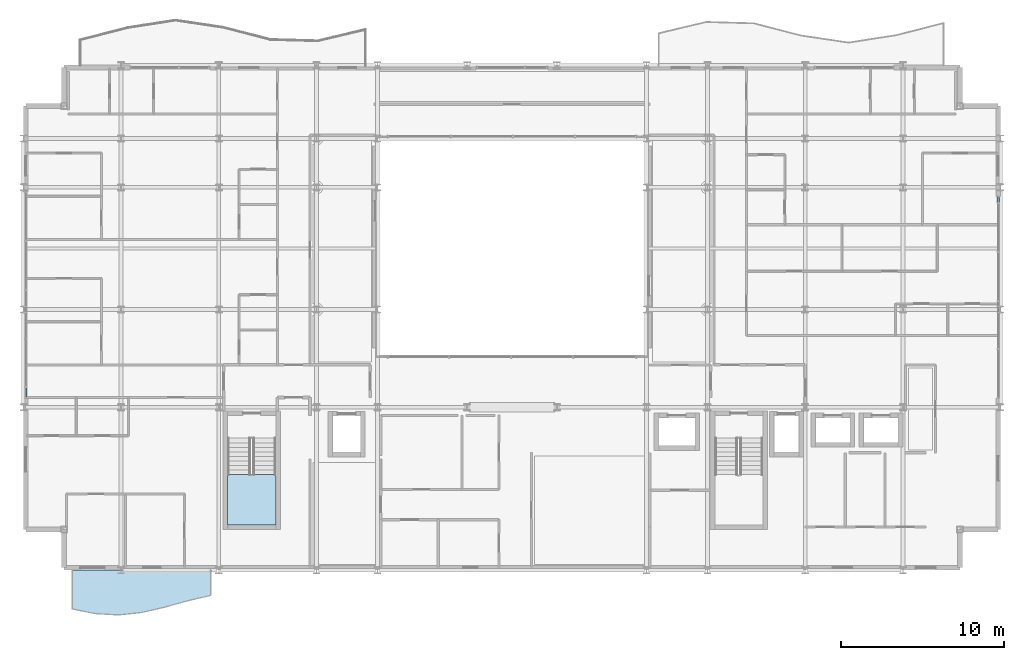
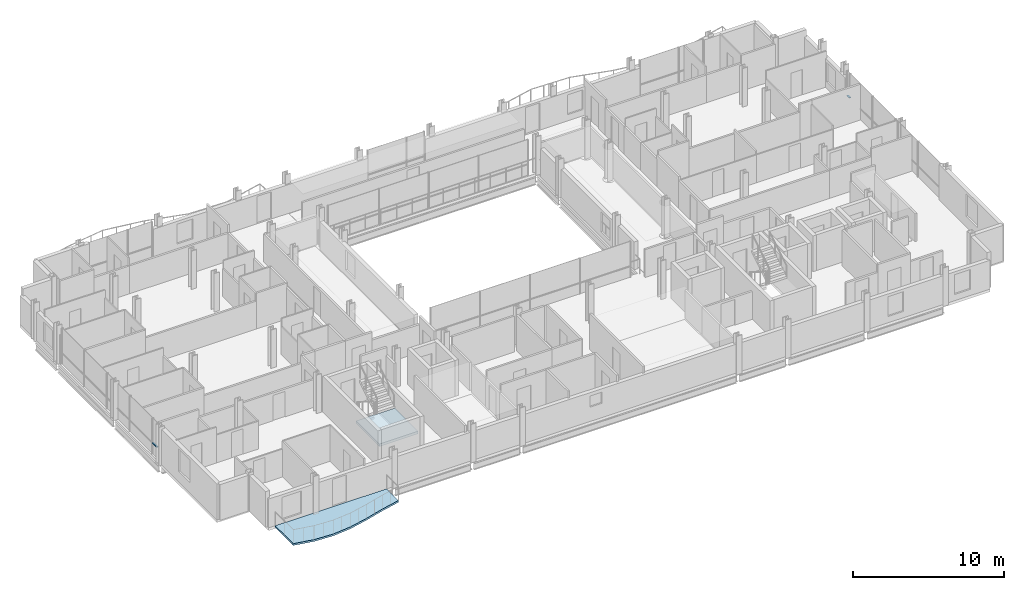
# One storey, part 27 of 41: 2 members, 2 slabs, 3 elements without a shape of their own.
"""IFC4 building model written with IfcOpenShell, lengths in metres."""

from ifc_helpers import new_model, si_unit, direction, frame, origin, origin_2d, place, context, subcontext, project, spatial, polyline, hollow_rectangle, outline, extrude, material, layer, layer_set, material_profile, profile_set, type_object, element, aggregate, save


model = new_model("IFC4")

# Units and contexts
model_context = context("Model", 3, precision=1e-05, world=origin(), true_north=direction((0.0, 1.0)))
body_context = subcontext(model_context, "Body", "Model", "MODEL_VIEW")
ifc_project = project(units=[si_unit("LENGTHUNIT", "METRE"), si_unit("AREAUNIT", "SQUARE_METRE"), si_unit("VOLUMEUNIT", "CUBIC_METRE"), si_unit("PLANEANGLEUNIT", "RADIAN"), si_unit("MASSUNIT", "GRAM", prefix="KILO")], contexts=[model_context])

# Site, building, storey
site_placement = place(None, origin())
site = spatial("IfcSite", under=ifc_project, at=site_placement, CompositionType="ELEMENT")
building_placement = place(site_placement, origin())
building = spatial("IfcBuilding", under=site, at=building_placement, Name="Brevholm Reach", CompositionType="ELEMENT")
storey_placement = place(building_placement, frame((0.0, 0.0, 144.89990234375)))
storey = spatial("IfcBuildingStorey", under=building, at=storey_placement, Name="L43", CompositionType="ELEMENT", Elevation=144.89990234375)

# Curtain wall, member
ifc_material_1 = material(Name="Dark Anodised Aluminium 6063-T6 and Solar-Control Glass", Category="aluminium")
ifc_layer_1 = layer(ifc_material_1, 0.14990234375)
ifc_layer_set_1 = layer_set([ifc_layer_1], Name="Dark Anodised Aluminium 6063-T6 and Solar-Control Glass")
curtain_wall_type = type_object("IfcCurtainWallType", Name="CW-01", PredefinedType="NOTDEFINED", material=ifc_layer_set_1)
curtain_wall_1_placement = place(storey_placement, origin())
curtain_wall_1 = element("IfcCurtainWall", 1, at=curtain_wall_1_placement, inside=storey, type_object=curtain_wall_type, Name="L43 Curtain Wall CW-01", PredefinedType="NOTDEFINED")
ifc_material_2 = material(Name="Dark Anodised Aluminium 6063-T6", Category="aluminium")
ifc_material_profile = material_profile(ifc_material_2, hollow_rectangle(XDim=0.06494140625, YDim=0.14990234375, WallThickness=0.0048828125, InnerFilletRadius=0.0048828125, OuterFilletRadius=0.010009765625, at=origin_2d()), Name="RHS 150x65x5")
ifc_profile_set = profile_set([ifc_material_profile], Name="Dark Anodised Aluminium 6063-T6")
member_type = type_object("IfcMemberType", Name="CWT-150", PredefinedType="NOTDEFINED", material=ifc_profile_set)
member_1_placement = place(storey_placement, frame((0.14990234375, 11.1875, 0.900146484375), z_axis=(0.0, -1.0, 0.0), x_axis=(0.0, 0.0, 1.0)))
member_1 = element("IfcMember", 2, at=member_1_placement, type_object=member_type, Name="CT-150 Transom 5.1", ObjectType="TRANSOM", PredefinedType="USERDEFINED", context=body_context, shape_type="SweptSolid", body=[
    extrude(hollow_rectangle(XDim=0.06494140625, YDim=0.14990234375, WallThickness=0.0048828125, InnerFilletRadius=0.0048828125, OuterFilletRadius=0.010009765625, at=origin_2d()), origin(), (0.0, 0.0, 1.0), 0.572509765625),
])
aggregate(curtain_wall_1, [member_1])

curtain_wall_2_placement = place(storey_placement, origin())
curtain_wall_2 = element("IfcCurtainWall", 3, at=curtain_wall_2_placement, inside=storey, type_object=curtain_wall_type, Name="L43 Curtain Wall CW-01", PredefinedType="NOTDEFINED")
member_2_placement = place(storey_placement, frame((59.85009765625, 22.58251953125, 0.900146484375), z_axis=(0.0, 1.0, 0.0), x_axis=(0.0, 0.0, 1.0)))
member_2 = element("IfcMember", 4, at=member_2_placement, type_object=member_type, Name="CT-150 Transom 5.1", ObjectType="TRANSOM", PredefinedType="USERDEFINED", context=body_context, shape_type="SweptSolid", body=[
    extrude(hollow_rectangle(XDim=0.06494140625, YDim=0.14990234375, WallThickness=0.0048828125, InnerFilletRadius=0.0048828125, OuterFilletRadius=0.010009765625, at=origin_2d()), origin(), (0.0, 0.0, 1.0), 0.302490234375),
])
aggregate(curtain_wall_2, [member_2])

# Slab
ifc_material_3 = material(Name="Precast Concrete C45/55", Category="concrete")
ifc_layer_2 = layer(ifc_material_3, 0.14990234375)
ifc_layer_set_2 = layer_set([ifc_layer_2], Name="Precast Concrete C45/55")
slab_type_1 = type_object("IfcSlabType", Name="SLB-BAL-150", PredefinedType="FLOOR", material=ifc_layer_set_2)
slab_1_placement = place(storey_placement, frame((0.0, 0.0, -0.14990234375)))
element("IfcSlab", 5, at=slab_1_placement, inside=storey, type_object=slab_type_1, Name="L43 Rippling External Balcony SW", PredefinedType="FLOOR", context=body_context, shape_type="SweptSolid", body=[
    extrude(outline(polyline([(3.0, -2.38134765625), (4.416748046875, -2.665283203125), (5.833251953125, -2.747314453125), (7.25, -2.599609375), (8.666748046875, -2.2724609375), (10.083251953125, -1.877685546875), (11.5, -1.55029296875), (11.5, 0.0), (3.0, 0.0), (3.0, -2.38134765625)])), origin(), (0.0, 0.0, 1.0), 0.14990234375),
])

# Stair, slab
ifc_material_4 = material(Name="Precast Concrete C40/50", Category="concrete")
stair_type = type_object("IfcStairType", Name="STR-ESC-1400", PredefinedType="DOUBLE_RETURN_STAIR", material=ifc_material_4)
stair_placement = place(storey_placement, origin())
stair = element("IfcStair", 6, at=stair_placement, inside=storey, type_object=stair_type, Name="L43 ST-1", PredefinedType="DOUBLE_RETURN_STAIR")
ifc_material_5 = material(Name="Concrete C40/50", Category="concrete")
ifc_layer_3 = layer(ifc_material_5, 0.199951171875)
ifc_layer_set_3 = layer_set([ifc_layer_3], Name="Concrete C40/50")
slab_type_2 = type_object("IfcSlabType", Name="SLB-LND-200", PredefinedType="LANDING", material=ifc_layer_set_3)
slab_2_placement = place(storey_placement, frame((0.0, 0.0, 1.35009765625)))
slab_2 = element("IfcSlab", 7, at=slab_2_placement, type_object=slab_type_2, Name="ST-1 landing 1", PredefinedType="LANDING", context=body_context, shape_type="SweptSolid", body=[
    extrude(outline(polyline([(12.550048828125, 5.860107421875), (12.550048828125, 2.780029296875), (15.5, 2.780029296875), (15.5, 5.860107421875), (12.550048828125, 5.860107421875)])), origin(), (0.0, 0.0, 1.0), 0.199951171875),
])
aggregate(stair, [slab_2])

save(model, "model.ifc")
